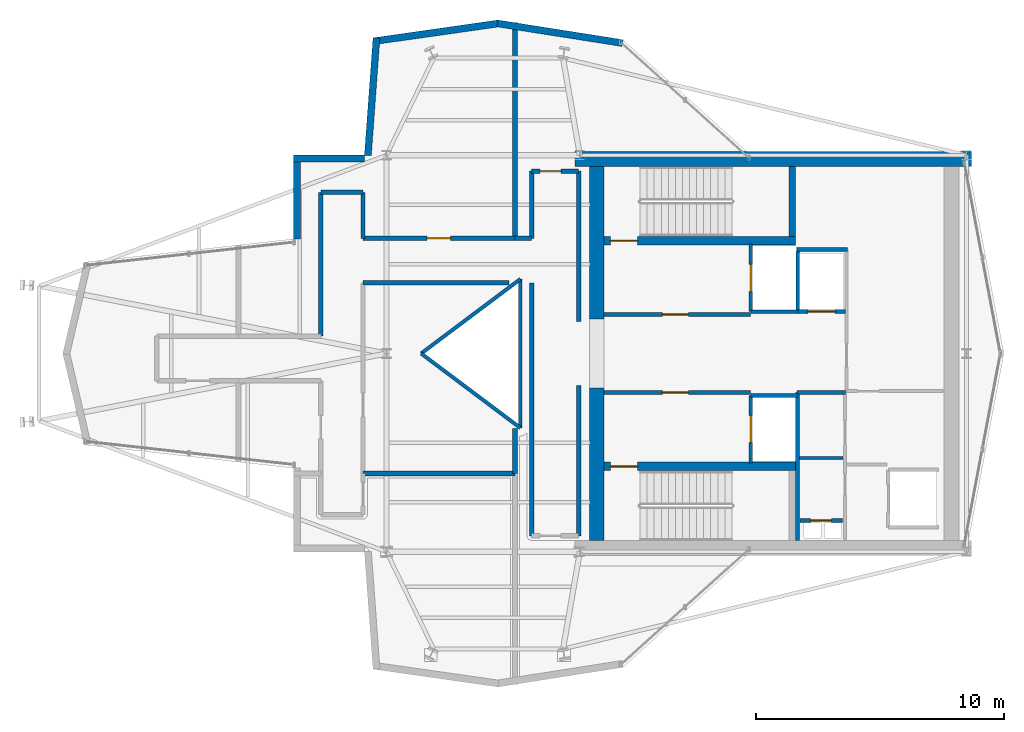
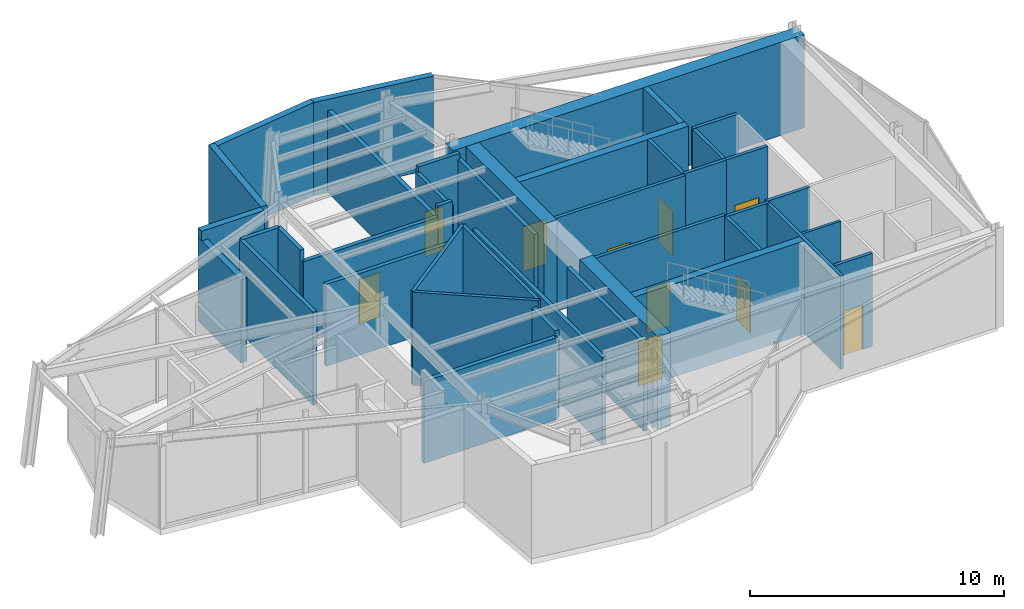
# One storey, part 8 of 11: 41 walls, 10 doors, 10 openings.
"""IFC4 building model written with IfcOpenShell, lengths in metres."""

from ifc_helpers import new_model, si_unit, direction, frame, frame_2d, origin, place, context, subcontext, project, spatial, rectangle, extrude, material, layer, layer_set, type_object, element, fill, save


model = new_model("IFC4")

# Units and contexts
model_context = context("Model", 3, precision=1e-05, world=origin(), true_north=direction((0.0, 1.0)))
body_context = subcontext(model_context, "Body", "Model", "MODEL_VIEW")
ifc_project = project(units=[si_unit("LENGTHUNIT", "METRE"), si_unit("AREAUNIT", "SQUARE_METRE"), si_unit("VOLUMEUNIT", "CUBIC_METRE"), si_unit("PLANEANGLEUNIT", "RADIAN"), si_unit("MASSUNIT", "GRAM", prefix="KILO")], contexts=[model_context])

# Site, building, storey
site_placement = place(None, origin())
site = spatial("IfcSite", under=ifc_project, at=site_placement, CompositionType="ELEMENT")
building_placement = place(site_placement, origin())
building = spatial("IfcBuilding", under=site, at=building_placement, Name="Veymaron Broadcast Tower", CompositionType="ELEMENT")
storey_placement = place(building_placement, frame((0.0, 0.0, 327.60009765625)))
storey = spatial("IfcBuildingStorey", under=building, at=storey_placement, Name="L77", CompositionType="ELEMENT", Elevation=327.60009765625)

# Walls
ifc_material_1 = material(Name="Concrete C40/50", Category="concrete")
ifc_layer_1 = layer(ifc_material_1, 0.199951171875)
ifc_layer_set_1 = layer_set([ifc_layer_1], Name="Concrete C40/50")
wall_type_1 = type_object("IfcWallType", Name="WALL-BLK-200", PredefinedType="SOLIDWALL", material=ifc_layer_set_1)
wall_1_placement = place(storey_placement, frame((36.3759765625, 19.156005859375, 0.0), z_axis=(0.0, 0.0, 1.0), x_axis=(0.0, 1.0, 0.0)))
element("IfcWall", 1, at=wall_1_placement, inside=storey, type_object=wall_type_1, Name="L77 partition IW-L77-P24", PredefinedType="SOLIDWALL", context=body_context, shape_type="SweptSolid", body=[
    extrude(rectangle(XDim=1.824462890625, YDim=0.199951171875, at=frame_2d((0.912109375, 0.0))), origin(), (0.0, 0.0, 1.0), 4.2099609375),
])
wall_2_placement = place(storey_placement, frame((30.25, 19.156005859375, 0.0), z_axis=(0.0, 0.0, 1.0), x_axis=(1.0, 0.0, 0.0)))
element("IfcWall", 2, at=wall_2_placement, inside=storey, type_object=wall_type_1, Name="L77 partition IW-L77-P26", PredefinedType="SOLIDWALL", context=body_context, shape_type="SweptSolid", body=[
    extrude(rectangle(XDim=6.1259765625, YDim=0.199951171875, at=frame_2d((3.06298828125, 0.0))), origin(), (0.0, 0.0, 1.0), 3.93994140625),
])
wall_3_placement = place(storey_placement, frame((36.3759765625, 28.64990234375, 0.0), z_axis=(0.0, 0.0, 1.0), x_axis=(0.0, 1.0, 0.0)))
element("IfcWall", 3, at=wall_3_placement, inside=storey, type_object=wall_type_1, Name="L77 partition IW-L77-P29", PredefinedType="SOLIDWALL", context=body_context, shape_type="SweptSolid", body=[
    extrude(rectangle(XDim=8.69921875, YDim=0.199951171875, at=frame_2d((4.349609375, 0.0))), origin(), (0.0, 0.0, 1.0), 3.93994140625),
])
ifc_material_2 = material(Name="Precast concrete C40/50", Category="concrete")
ifc_layer_2 = layer(ifc_material_2, 0.280029296875)
ifc_layer_set_2 = layer_set([ifc_layer_2], Name="Precast concrete C40/50")
wall_type_2 = type_object("IfcWallType", Name="WALL-EXT-280", PredefinedType="STANDARD", material=ifc_layer_set_2)
wall_4_placement = place(storey_placement, frame((40.717529296875, 36.525634765625, 0.0), z_axis=(0.0, 0.0, 1.0), x_axis=(-0.987892522015, 0.155139823857, 0.0)))
element("IfcWall", 4, at=wall_4_placement, inside=storey, type_object=wall_type_2, Name="L77 notched corner facade pier 6-1", PredefinedType="STANDARD", context=body_context, shape_type="SweptSolid", body=[
    extrude(rectangle(XDim=5.10498046875, YDim=0.280029296875, at=frame_2d((2.552490234375, 0.0))), origin(), (0.0, 0.0, 1.0), 4.47998046875),
])
wall_5_placement = place(storey_placement, frame((35.7158203125, 37.3173828125, 0.0), z_axis=(0.0, 0.0, 1.0), x_axis=(-0.989962907882, -0.141327424861, 0.0)))
element("IfcWall", 5, at=wall_5_placement, inside=storey, type_object=wall_type_2, Name="L77 notched corner facade pier 7-1", PredefinedType="STANDARD", context=body_context, shape_type="SweptSolid", body=[
    extrude(rectangle(XDim=5.09423828125, YDim=0.280029296875, at=frame_2d((2.547119140625, 0.0))), origin(), (0.0, 0.0, 1.0), 4.47998046875),
])
wall_6_placement = place(storey_placement, frame((30.79248046875, 36.725830078125, 0.0), z_axis=(0.0, 0.0, 1.0), x_axis=(-0.072953187508, -0.997335366079, 0.0)))
element("IfcWall", 6, at=wall_6_placement, inside=storey, type_object=wall_type_2, Name="L77 notched corner facade pier 8-1", PredefinedType="STANDARD", context=body_context, shape_type="SweptSolid", body=[
    extrude(rectangle(XDim=4.748779296875, YDim=0.280029296875, at=frame_2d((2.37451171875, 0.0))), origin(), (0.0, 0.0, 1.0), 4.47998046875),
])
wall_7_placement = place(storey_placement, frame((30.306396484375, 31.860107421875, 0.0), z_axis=(0.0, 0.0, 1.0), x_axis=(-1.0, 0.0, 0.0)))
element("IfcWall", 7, at=wall_7_placement, inside=storey, type_object=wall_type_2, Name="L77 notched corner facade pier 9-1", PredefinedType="STANDARD", context=body_context, shape_type="SweptSolid", body=[
    extrude(rectangle(XDim=2.8583984375, YDim=0.280029296875, at=frame_2d((1.42919921875, 0.0))), origin(), (0.0, 0.0, 1.0), 4.47998046875),
])
wall_8_placement = place(storey_placement, frame((27.587890625, 32.0, 0.0), z_axis=(0.0, 0.0, 1.0), x_axis=(0.0, -1.0, 0.0)))
element("IfcWall", 8, at=wall_8_placement, inside=storey, type_object=wall_type_2, Name="L77 notched corner facade pier 10-1", PredefinedType="STANDARD", context=body_context, shape_type="SweptSolid", body=[
    extrude(rectangle(XDim=3.37353515625, YDim=0.280029296875, at=frame_2d((1.686767578125, 0.0))), origin(), (0.0, 0.0, 1.0), 4.0087890625),
])

# Wall, opening, door
ifc_material_3 = material(Name="Gypsum fireboard and steel stud framing", Category="steel")
ifc_layer_3 = layer(ifc_material_3, 0.14990234375)
ifc_layer_set_3 = layer_set([ifc_layer_3], Name="Gypsum fireboard and steel stud framing")
wall_type_3 = type_object("IfcWallType", Name="WALL-FIRE-150", PredefinedType="PARTITIONING", material=ifc_layer_set_3)
wall_9_placement = place(storey_placement, frame((39.97998046875, 25.574951171875, 0.0), z_axis=(0.0, 0.0, 1.0), x_axis=(1.0, 0.0, 0.0)))
wall_9 = element("IfcWall", 9, at=wall_9_placement, inside=storey, type_object=wall_type_3, Name="L77 partition IW-L77-FFLN-S", PredefinedType="PARTITIONING", context=body_context, shape_type="SweptSolid", body=[
    extrude(rectangle(XDim=5.89990234375, YDim=0.14990234375, at=frame_2d((2.949951171875, 0.0))), origin(), (0.0, 0.0, 1.0), 4.47998046875),
])
opening_1_placement = place(wall_9_placement, frame((2.35009765625, 0.0, 0.0)))
opening_1 = element("IfcOpeningElement", 10, at=opening_1_placement, cuts=wall_9, Name="Opening ID-FL1", PredefinedType="OPENING", context=body_context, shape_type="SweptSolid", body=[
    extrude(rectangle(XDim=1.050048828125, YDim=2.14990234375, at=frame_2d((0.52490234375, 1.074951171875))), frame((0.0, 0.0849609375, 0.0), z_axis=(0.0, -1.0, 0.0), x_axis=(1.0, 0.0, 0.0)), (0.0, 0.0, 1.0), 0.169921875),
])
ifc_material_4 = material(Name="Fire-rated painted hollow steel ASTM A653", Category="steel")
door_type_1 = type_object("IfcDoorType", Name="DOOR-FIRE-1050", OperationType="NOTDEFINED", PredefinedType="DOOR", material=ifc_material_4)
door_1_placement = place(opening_1_placement, origin())
door_1 = element("IfcDoor", 11, at=door_1_placement, inside=storey, type_object=door_type_1, Name="L77 door DR-L77-FFLN", OperationType="SINGLE_SWING_LEFT", OverallHeight=2.14990234375, OverallWidth=1.050048828125, PredefinedType="DOOR", context=body_context, shape_type="SweptSolid", body=[
    extrude(rectangle(XDim=1.050048828125, YDim=2.14990234375, at=frame_2d((0.52490234375, 1.074951171875))), frame((0.0, 0.02490234375, 0.0), z_axis=(0.0, -1.0, 0.0), x_axis=(1.0, 0.0, 0.0)), (0.0, 0.0, 1.0), 0.050048828125),
])
fill(opening_1, door_1)

wall_10_placement = place(storey_placement, frame((39.97998046875, 22.425048828125, 0.0), z_axis=(0.0, 0.0, 1.0), x_axis=(1.0, 0.0, 0.0)))
wall_10 = element("IfcWall", 12, at=wall_10_placement, inside=storey, type_object=wall_type_3, Name="L77 partition IW-L77-FFLS-N", PredefinedType="PARTITIONING", context=body_context, shape_type="SweptSolid", body=[
    extrude(rectangle(XDim=5.89990234375, YDim=0.14990234375, at=frame_2d((2.949951171875, 0.0))), origin(), (0.0, 0.0, 1.0), 4.47998046875),
])
opening_2_placement = place(wall_10_placement, frame((2.35009765625, 0.0, 0.0)))
opening_2 = element("IfcOpeningElement", 13, at=opening_2_placement, cuts=wall_10, Name="Opening ID-FL1", PredefinedType="OPENING", context=body_context, shape_type="SweptSolid", body=[
    extrude(rectangle(XDim=1.050048828125, YDim=2.14990234375, at=frame_2d((0.52490234375, 1.074951171875))), frame((0.0, 0.0849609375, 0.0), z_axis=(0.0, -1.0, 0.0), x_axis=(1.0, 0.0, 0.0)), (0.0, 0.0, 1.0), 0.169921875),
])
door_2_placement = place(opening_2_placement, frame((1.050048828125, 0.0, 0.0), z_axis=(0.0, 0.0, 1.0), x_axis=(-1.0, 0.0, 0.0)))
door_2 = element("IfcDoor", 14, at=door_2_placement, inside=storey, type_object=door_type_1, Name="L77 door DR-L77-FFLS", OperationType="SINGLE_SWING_RIGHT", OverallHeight=2.14990234375, OverallWidth=1.050048828125, PredefinedType="DOOR", context=body_context, shape_type="SweptSolid", body=[
    extrude(rectangle(XDim=1.050048828125, YDim=2.14990234375, at=frame_2d((0.52490234375, 1.074951171875))), frame((0.0, 0.02490234375, 0.0), z_axis=(0.0, -1.0, 0.0), x_axis=(1.0, 0.0, 0.0)), (0.0, 0.0, 1.0), 0.050048828125),
])
fill(opening_2, door_2)

wall_11_placement = place(storey_placement, frame((45.89501953125, 25.68994140625, 0.0), z_axis=(0.0, 0.0, 1.0), x_axis=(0.0, 1.0, 0.0)))
wall_11 = element("IfcWall", 15, at=wall_11_placement, inside=storey, type_object=wall_type_3, Name="L77 partition IW-L77-SHW-FFL-1", PredefinedType="PARTITIONING", context=body_context, shape_type="SweptSolid", body=[
    extrude(rectangle(XDim=2.719970703125, YDim=0.14990234375, at=frame_2d((1.35986328125, 0.0))), origin(), (0.0, 0.0, 1.0), 4.47998046875),
])
opening_3_placement = place(wall_11_placement, frame((0.81005859375, 0.0, 0.0)))
opening_3 = element("IfcOpeningElement", 16, at=opening_3_placement, cuts=wall_11, Name="Opening LD", PredefinedType="OPENING", context=body_context, shape_type="SweptSolid", body=[
    extrude(rectangle(XDim=1.10009765625, YDim=2.14990234375, at=frame_2d((0.550048828125, 1.074951171875))), frame((0.0, 0.0849609375, 0.0), z_axis=(0.0, -1.0, 0.0), x_axis=(1.0, 0.0, 0.0)), (0.0, 0.0, 1.0), 0.169921875),
])
ifc_material_5 = material(Name="Brushed stainless steel AISI 304", Category="steel")
door_type_2 = type_object("IfcDoorType", Name="DOOR-LIFT-1100", OperationType="DOUBLE_DOOR_SLIDING", PredefinedType="DOOR", material=ifc_material_5)
door_3_placement = place(opening_3_placement, frame((1.10009765625, 0.0, 0.0), z_axis=(0.0, 0.0, 1.0), x_axis=(-1.0, 0.0, 0.0)))
door_3 = element("IfcDoor", 17, at=door_3_placement, inside=storey, type_object=door_type_2, Name="L77 door LD-L77-FFL-1", OperationType="DOUBLE_DOOR_SLIDING", OverallHeight=2.14990234375, OverallWidth=1.10009765625, PredefinedType="DOOR", context=body_context, shape_type="SweptSolid", body=[
    extrude(rectangle(XDim=1.10009765625, YDim=2.14990234375, at=frame_2d((0.550048828125, 1.074951171875))), frame((0.0, 0.02490234375, 0.0), z_axis=(0.0, -1.0, 0.0), x_axis=(1.0, 0.0, 0.0)), (0.0, 0.0, 1.0), 0.050048828125),
])
fill(opening_3, door_3)

# Wall
wall_12_placement = place(storey_placement, frame((45.89501953125, 25.68994140625, 0.0), z_axis=(0.0, 0.0, 1.0), x_axis=(1.0, 0.0, 0.0)))
element("IfcWall", 18, at=wall_12_placement, inside=storey, type_object=wall_type_3, Name="L77 partition IW-L77-SHS-FFL-1", PredefinedType="PARTITIONING", context=body_context, shape_type="SweptSolid", body=[
    extrude(rectangle(XDim=1.9150390625, YDim=0.14990234375, at=frame_2d((0.95751953125, 0.0))), origin(), (0.0, 0.0, 1.0), 4.47998046875),
])

# Wall, opening, door
wall_13_placement = place(storey_placement, frame((45.89501953125, 19.590087890625, 0.0), z_axis=(0.0, 0.0, 1.0), x_axis=(0.0, 1.0, 0.0)))
wall_13 = element("IfcWall", 19, at=wall_13_placement, inside=storey, type_object=wall_type_3, Name="L77 partition IW-L77-SHW-FFL-2", PredefinedType="PARTITIONING", context=body_context, shape_type="SweptSolid", body=[
    extrude(rectangle(XDim=2.719970703125, YDim=0.14990234375, at=frame_2d((1.35986328125, 0.0))), origin(), (0.0, 0.0, 1.0), 4.47998046875),
])
opening_4_placement = place(wall_13_placement, frame((0.81005859375, 0.0, 0.0)))
opening_4 = element("IfcOpeningElement", 20, at=opening_4_placement, cuts=wall_13, Name="Opening LD", PredefinedType="OPENING", context=body_context, shape_type="SweptSolid", body=[
    extrude(rectangle(XDim=1.10009765625, YDim=2.14990234375, at=frame_2d((0.550048828125, 1.074951171875))), frame((0.0, 0.0849609375, 0.0), z_axis=(0.0, -1.0, 0.0), x_axis=(1.0, 0.0, 0.0)), (0.0, 0.0, 1.0), 0.169921875),
])
door_4_placement = place(opening_4_placement, frame((1.10009765625, 0.0, 0.0), z_axis=(0.0, 0.0, 1.0), x_axis=(-1.0, 0.0, 0.0)))
door_4 = element("IfcDoor", 21, at=door_4_placement, inside=storey, type_object=door_type_2, Name="L77 door LD-L77-FFL-2", OperationType="DOUBLE_DOOR_SLIDING", OverallHeight=2.14990234375, OverallWidth=1.10009765625, PredefinedType="DOOR", context=body_context, shape_type="SweptSolid", body=[
    extrude(rectangle(XDim=1.10009765625, YDim=2.14990234375, at=frame_2d((0.550048828125, 1.074951171875))), frame((0.0, 0.02490234375, 0.0), z_axis=(0.0, -1.0, 0.0), x_axis=(1.0, 0.0, 0.0)), (0.0, 0.0, 1.0), 0.050048828125),
])
fill(opening_4, door_4)

# Wall
wall_14_placement = place(storey_placement, frame((45.89501953125, 22.31005859375, 0.0), z_axis=(0.0, 0.0, 1.0), x_axis=(1.0, 0.0, 0.0)))
element("IfcWall", 22, at=wall_14_placement, inside=storey, type_object=wall_type_3, Name="L77 partition IW-L77-SHN-FFL-2", PredefinedType="PARTITIONING", context=body_context, shape_type="SweptSolid", body=[
    extrude(rectangle(XDim=1.9150390625, YDim=0.14990234375, at=frame_2d((0.95751953125, 0.0))), origin(), (0.0, 0.0, 1.0), 4.47998046875),
])

# Wall, opening, door
wall_15_placement = place(storey_placement, frame((47.7900390625, 25.695068359375, 0.0), z_axis=(0.0, 0.0, 1.0), x_axis=(1.0, 0.0, 0.0)))
wall_15 = element("IfcWall", 23, at=wall_15_placement, inside=storey, type_object=wall_type_3, Name="L77 partition IW-L77-SHS-SL-1", PredefinedType="PARTITIONING", context=body_context, shape_type="SweptSolid", body=[
    extrude(rectangle(XDim=1.919921875, YDim=0.14990234375, at=frame_2d((0.9599609375, 0.0))), origin(), (0.0, 0.0, 1.0), 4.47998046875),
])
opening_5_placement = place(wall_15_placement, frame((0.409912109375, 0.0, 0.0)))
opening_5 = element("IfcOpeningElement", 24, at=opening_5_placement, cuts=wall_15, Name="Opening LD", PredefinedType="OPENING", context=body_context, shape_type="SweptSolid", body=[
    extrude(rectangle(XDim=1.10009765625, YDim=2.14990234375, at=frame_2d((0.550048828125, 1.074951171875))), frame((0.0, 0.0849609375, 0.0), z_axis=(0.0, -1.0, 0.0), x_axis=(1.0, 0.0, 0.0)), (0.0, 0.0, 1.0), 0.169921875),
])
door_5_placement = place(opening_5_placement, frame((1.10009765625, 0.0, 0.0), z_axis=(0.0, 0.0, 1.0), x_axis=(-1.0, 0.0, 0.0)))
door_5 = element("IfcDoor", 25, at=door_5_placement, inside=storey, type_object=door_type_2, Name="L77 door LD-L77-SL-1", OperationType="DOUBLE_DOOR_SLIDING", OverallHeight=2.14990234375, OverallWidth=1.10009765625, PredefinedType="DOOR", context=body_context, shape_type="SweptSolid", body=[
    extrude(rectangle(XDim=1.10009765625, YDim=2.14990234375, at=frame_2d((0.550048828125, 1.074951171875))), frame((0.0, 0.02490234375, 0.0), z_axis=(0.0, -1.0, 0.0), x_axis=(1.0, 0.0, 0.0)), (0.0, 0.0, 1.0), 0.050048828125),
])
fill(opening_5, door_5)

# Wall
wall_16_placement = place(storey_placement, frame((47.7900390625, 25.695068359375, 0.0), z_axis=(0.0, 0.0, 1.0), x_axis=(0.0, 1.0, 0.0)))
element("IfcWall", 26, at=wall_16_placement, inside=storey, type_object=wall_type_3, Name="L77 partition IW-L77-SHW-SL-1", PredefinedType="PARTITIONING", context=body_context, shape_type="SweptSolid", body=[
    extrude(rectangle(XDim=2.4150390625, YDim=0.14990234375, at=frame_2d((1.20751953125, 0.0))), origin(), (0.0, 0.0, 1.0), 4.47998046875),
])

# Wall, opening, door
wall_17_placement = place(storey_placement, frame((47.8798828125, 17.260009765625, 0.0), z_axis=(0.0, 0.0, 1.0), x_axis=(1.0, 0.0, 0.0)))
wall_17 = element("IfcWall", 27, at=wall_17_placement, inside=storey, type_object=wall_type_3, Name="L77 partition IW-L77-RIS-N", PredefinedType="PARTITIONING", context=body_context, shape_type="SweptSolid", body=[
    extrude(rectangle(XDim=1.72021484375, YDim=0.14990234375, at=frame_2d((0.860107421875, 0.0))), origin(), (0.0, 0.0, 1.0), 4.47998046875),
])
opening_6_placement = place(wall_17_placement, frame((0.419921875, 0.0, 0.0)))
opening_6 = element("IfcOpeningElement", 28, at=opening_6_placement, cuts=wall_17, Name="Opening ID-RS1", PredefinedType="OPENING", context=body_context, shape_type="SweptSolid", body=[
    extrude(rectangle(XDim=0.85009765625, YDim=2.14990234375, at=frame_2d((0.425048828125, 1.074951171875))), frame((0.0, 0.0849609375, 0.0), z_axis=(0.0, -1.0, 0.0), x_axis=(1.0, 0.0, 0.0)), (0.0, 0.0, 1.0), 0.169921875),
])
ifc_material_6 = material(Name="Fire-rated powder-coated steel riser leaf", Category="steel")
door_type_3 = type_object("IfcDoorType", Name="DOOR-RIS-850", OperationType="NOTDEFINED", PredefinedType="TRAPDOOR", material=ifc_material_6)
door_6_placement = place(opening_6_placement, origin())
door_6 = element("IfcDoor", 29, at=door_6_placement, inside=storey, type_object=door_type_3, Name="L77 door DR-L77-RIS", OperationType="SINGLE_SWING_LEFT", OverallHeight=2.14990234375, OverallWidth=0.85009765625, PredefinedType="TRAPDOOR", context=body_context, shape_type="SweptSolid", body=[
    extrude(rectangle(XDim=0.85009765625, YDim=2.14990234375, at=frame_2d((0.425048828125, 1.074951171875))), frame((0.0, 0.02490234375, 0.0), z_axis=(0.0, -1.0, 0.0), x_axis=(1.0, 0.0, 0.0)), (0.0, 0.0, 1.0), 0.050048828125),
])
fill(opening_6, door_6)

# Walls
wall_18_placement = place(storey_placement, frame((47.760009765625, 22.425048828125, 0.0), z_axis=(0.0, 0.0, 1.0), x_axis=(1.0, 0.0, 0.0)))
element("IfcWall", 30, at=wall_18_placement, inside=storey, type_object=wall_type_3, Name="L77 partition IW-L77-SM-N", PredefinedType="PARTITIONING", context=body_context, shape_type="SweptSolid", body=[
    extrude(rectangle(XDim=1.9599609375, YDim=0.14990234375, at=frame_2d((0.97998046875, 0.0))), origin(), (0.0, 0.0, 1.0), 4.47998046875),
])
wall_19_placement = place(storey_placement, frame((47.780029296875, 16.449951171875, 0.0), z_axis=(0.0, 0.0, 1.0), x_axis=(0.0, 1.0, 0.0)))
element("IfcWall", 31, at=wall_19_placement, inside=storey, type_object=wall_type_3, Name="L77 partition IW-L77-SM-W", PredefinedType="PARTITIONING", context=body_context, shape_type="SweptSolid", body=[
    extrude(rectangle(XDim=5.97509765625, YDim=0.14990234375, at=frame_2d((2.987548828125, 0.0))), origin(), (0.0, 0.0, 1.0), 4.47998046875),
])
wall_20_placement = place(storey_placement, frame((47.760009765625, 28.199951171875, 0.0), z_axis=(0.0, 0.0, 1.0), x_axis=(1.0, 0.0, 0.0)))
element("IfcWall", 32, at=wall_20_placement, inside=storey, type_object=wall_type_3, Name="L77 partition IW-L77-F3-SW", PredefinedType="PARTITIONING", context=body_context, shape_type="SweptSolid", body=[
    extrude(rectangle(XDim=2.0400390625, YDim=0.14990234375, at=frame_2d((1.02001953125, 0.0))), origin(), (0.0, 0.0, 1.0), 4.47998046875),
])

# Wall, opening, door
ifc_layer_4 = layer(ifc_material_1, 0.179931640625)
ifc_layer_set_4 = layer_set([ifc_layer_4], Name="Concrete C40/50")
wall_type_4 = type_object("IfcWallType", Name="WALL-FIRE-180", PredefinedType="SOLIDWALL", material=ifc_layer_set_4)
wall_21_placement = place(storey_placement, frame((30.25, 28.64990234375, 0.0), z_axis=(0.0, 0.0, 1.0), x_axis=(1.0, 0.0, 0.0)))
wall_21 = element("IfcWall", 33, at=wall_21_placement, inside=storey, type_object=wall_type_4, Name="L77 partition IW-L77-P14", PredefinedType="SOLIDWALL", context=body_context, shape_type="SweptSolid", body=[
    extrude(rectangle(XDim=6.1259765625, YDim=0.179931640625, at=frame_2d((3.06298828125, 0.0))), origin(), (0.0, 0.0, 1.0), 3.93994140625),
])
opening_7_placement = place(wall_21_placement, frame((2.587890625, 0.0, 0.0)))
opening_7 = element("IfcOpeningElement", 34, at=opening_7_placement, cuts=wall_21, Name="Opening ID-RM1", PredefinedType="OPENING", context=body_context, shape_type="SweptSolid", body=[
    extrude(rectangle(XDim=0.949951171875, YDim=2.14990234375, at=frame_2d((0.47509765625, 1.074951171875))), frame((0.0, 0.10009765625, 0.0), z_axis=(0.0, -1.0, 0.0), x_axis=(1.0, 0.0, 0.0)), (0.0, 0.0, 1.0), 0.199951171875),
])
ifc_material_7 = material(Name="Acoustic solid-core European oak veneer timber", Category="wood")
door_type_4 = type_object("IfcDoorType", Name="DOOR-INT-950", OperationType="NOTDEFINED", PredefinedType="DOOR", material=ifc_material_7)
door_7_placement = place(opening_7_placement, origin())
door_7 = element("IfcDoor", 35, at=door_7_placement, inside=storey, type_object=door_type_4, Name="L77 door DR-L77-P14", OperationType="SINGLE_SWING_LEFT", OverallHeight=2.14990234375, OverallWidth=0.949951171875, PredefinedType="DOOR", context=body_context, shape_type="SweptSolid", body=[
    extrude(rectangle(XDim=0.949951171875, YDim=2.14990234375, at=frame_2d((0.47509765625, 1.074951171875))), frame((0.0, 0.02490234375, 0.0), z_axis=(0.0, -1.0, 0.0), x_axis=(1.0, 0.0, 0.0)), (0.0, 0.0, 1.0), 0.050048828125),
])
fill(opening_7, door_7)

wall_22_placement = place(storey_placement, frame((37.050048828125, 31.35595703125, 0.0), z_axis=(0.0, 0.0, 1.0), x_axis=(1.0, 0.0, 0.0)))
wall_22 = element("IfcWall", 36, at=wall_22_placement, inside=storey, type_object=wall_type_4, Name="L77 partition IW-L77-P21", PredefinedType="SOLIDWALL", context=body_context, shape_type="SweptSolid", body=[
    extrude(rectangle(XDim=1.89990234375, YDim=0.179931640625, at=frame_2d((0.949951171875, 0.0))), origin(), (0.0, 0.0, 1.0), 4.47998046875),
])
opening_8_placement = place(wall_22_placement, frame((0.344970703125, 0.0, 0.0)))
opening_8 = element("IfcOpeningElement", 37, at=opening_8_placement, cuts=wall_22, Name="Opening ID-WC1", PredefinedType="OPENING", context=body_context, shape_type="SweptSolid", body=[
    extrude(rectangle(XDim=0.85009765625, YDim=2.14990234375, at=frame_2d((0.425048828125, 1.074951171875))), frame((0.0, 0.10009765625, 0.0), z_axis=(0.0, -1.0, 0.0), x_axis=(1.0, 0.0, 0.0)), (0.0, 0.0, 1.0), 0.199951171875),
])
ifc_material_8 = material(Name="Moisture-resistant high-pressure laminate timber", Category="wood")
door_type_5 = type_object("IfcDoorType", Name="DOOR-INT-850", OperationType="NOTDEFINED", PredefinedType="DOOR", material=ifc_material_8)
door_8_placement = place(opening_8_placement, origin())
door_8 = element("IfcDoor", 38, at=door_8_placement, inside=storey, type_object=door_type_5, Name="L77 door DR-L77-P21", OperationType="SINGLE_SWING_RIGHT", OverallHeight=2.14990234375, OverallWidth=0.85009765625, PredefinedType="DOOR", context=body_context, shape_type="SweptSolid", body=[
    extrude(rectangle(XDim=0.85009765625, YDim=2.14990234375, at=frame_2d((0.425048828125, 1.074951171875))), frame((0.0, 0.02490234375, 0.0), z_axis=(0.0, -1.0, 0.0), x_axis=(1.0, 0.0, 0.0)), (0.0, 0.0, 1.0), 0.050048828125),
])
fill(opening_8, door_8)

# Walls
wall_23_placement = place(storey_placement, frame((37.050048828125, 16.64404296875, 0.0), z_axis=(0.0, 0.0, 1.0), x_axis=(0.0, 1.0, 0.0)))
element("IfcWall", 39, at=wall_23_placement, inside=storey, type_object=wall_type_4, Name="L77 partition IW-L77-P01", PredefinedType="SOLIDWALL", context=body_context, shape_type="SweptSolid", body=[
    extrude(rectangle(XDim=10.2060546875, YDim=0.179931640625, at=frame_2d((5.10302734375, 0.0))), origin(), (0.0, 0.0, 1.0), 4.2099609375),
])
wall_24_placement = place(storey_placement, frame((38.949951171875, 16.64404296875, 0.0), z_axis=(0.0, 0.0, 1.0), x_axis=(0.0, 1.0, 0.0)))
element("IfcWall", 40, at=wall_24_placement, inside=storey, type_object=wall_type_4, Name="L77 partition IW-L77-P02", PredefinedType="SOLIDWALL", context=body_context, shape_type="SweptSolid", body=[
    extrude(rectangle(XDim=6.055908203125, YDim=0.179931640625, at=frame_2d((3.02783203125, 0.0))), origin(), (0.0, 0.0, 1.0), 4.2099609375),
])
wall_25_placement = place(storey_placement, frame((30.25, 26.85009765625, 0.0), z_axis=(0.0, 0.0, 1.0), x_axis=(1.0, 0.0, 0.0)))
element("IfcWall", 41, at=wall_25_placement, inside=storey, type_object=wall_type_4, Name="L77 partition IW-L77-P10", PredefinedType="SOLIDWALL", context=body_context, shape_type="SweptSolid", body=[
    extrude(rectangle(XDim=5.89990234375, YDim=0.179931640625, at=frame_2d((2.949951171875, 0.0))), origin(), (0.0, 0.0, 1.0), 3.93994140625),
])
wall_26_placement = place(storey_placement, frame((28.550048828125, 24.699951171875, 0.0), z_axis=(0.0, 0.0, 1.0), x_axis=(0.0, 1.0, 0.0)))
element("IfcWall", 42, at=wall_26_placement, inside=storey, type_object=wall_type_4, Name="L77 partition IW-L77-P15", PredefinedType="SOLIDWALL", context=body_context, shape_type="SweptSolid", body=[
    extrude(rectangle(XDim=5.800048828125, YDim=0.179931640625, at=frame_2d((2.89990234375, 0.0))), origin(), (0.0, 0.0, 1.0), 4.47998046875),
])
wall_27_placement = place(storey_placement, frame((30.25, 28.64990234375, 0.0), z_axis=(0.0, 0.0, 1.0), x_axis=(0.0, 1.0, 0.0)))
element("IfcWall", 43, at=wall_27_placement, inside=storey, type_object=wall_type_4, Name="L77 partition IW-L77-P17", PredefinedType="SOLIDWALL", context=body_context, shape_type="SweptSolid", body=[
    extrude(rectangle(XDim=1.85009765625, YDim=0.179931640625, at=frame_2d((0.925048828125, 0.0))), origin(), (0.0, 0.0, 1.0), 4.47998046875),
])
wall_28_placement = place(storey_placement, frame((28.550048828125, 30.5, 0.0), z_axis=(0.0, 0.0, 1.0), x_axis=(1.0, 0.0, 0.0)))
element("IfcWall", 44, at=wall_28_placement, inside=storey, type_object=wall_type_4, Name="L77 partition IW-L77-P18", PredefinedType="SOLIDWALL", context=body_context, shape_type="SweptSolid", body=[
    extrude(rectangle(XDim=1.699951171875, YDim=0.179931640625, at=frame_2d((0.85009765625, 0.0))), origin(), (0.0, 0.0, 1.0), 4.47998046875),
])
wall_29_placement = place(storey_placement, frame((38.949951171875, 25.300048828125, 0.0), z_axis=(0.0, 0.0, 1.0), x_axis=(0.0, 1.0, 0.0)))
element("IfcWall", 45, at=wall_29_placement, inside=storey, type_object=wall_type_4, Name="L77 partition IW-L77-P19", PredefinedType="SOLIDWALL", context=body_context, shape_type="SweptSolid", body=[
    extrude(rectangle(XDim=6.055908203125, YDim=0.179931640625, at=frame_2d((3.02783203125, 0.0))), origin(), (0.0, 0.0, 1.0), 4.2099609375),
])
wall_30_placement = place(storey_placement, frame((37.050048828125, 28.64990234375, 0.0), z_axis=(0.0, 0.0, 1.0), x_axis=(0.0, 1.0, 0.0)))
element("IfcWall", 46, at=wall_30_placement, inside=storey, type_object=wall_type_4, Name="L77 partition IW-L77-P20", PredefinedType="SOLIDWALL", context=body_context, shape_type="SweptSolid", body=[
    extrude(rectangle(XDim=2.7060546875, YDim=0.179931640625, at=frame_2d((1.35302734375, 0.0))), origin(), (0.0, 0.0, 1.0), 4.2099609375),
])
wall_31_placement = place(storey_placement, frame((36.3759765625, 28.64990234375, 0.0), z_axis=(0.0, 0.0, 1.0), x_axis=(1.0, 0.0, 0.0)))
element("IfcWall", 47, at=wall_31_placement, inside=storey, type_object=wall_type_4, Name="L77 partition IW-L77-P22", PredefinedType="SOLIDWALL", context=body_context, shape_type="SweptSolid", body=[
    extrude(rectangle(XDim=0.674072265625, YDim=0.179931640625, at=frame_2d((0.3369140625, 0.0))), origin(), (0.0, 0.0, 1.0), 4.47998046875),
])
ifc_material_9 = material(Name="Fire-rated laminated glass in aluminium frame", Category="aluminium")
ifc_layer_5 = layer(ifc_material_9, 0.14990234375)
ifc_layer_set_5 = layer_set([ifc_layer_5], Name="Fire-rated laminated glass in aluminium frame")
wall_type_5 = type_object("IfcWallType", Name="WALL-GLZ-150", PredefinedType="MOVABLE", material=ifc_layer_set_5)
wall_32_placement = place(storey_placement, frame((32.60009765625, 24.0, 0.0), z_axis=(0.0, 0.0, 1.0), x_axis=(0.8, -0.6, 0.0)))
element("IfcWall", 48, at=wall_32_placement, inside=storey, type_object=wall_type_5, Name="L77 partition IW-L77-ATR1", PredefinedType="MOVABLE", context=body_context, shape_type="SweptSolid", body=[
    extrude(rectangle(XDim=5.0, YDim=0.14990234375, at=frame_2d((2.5, 0.0))), origin(), (0.0, 0.0, 1.0), 4.47998046875),
])
wall_33_placement = place(storey_placement, frame((36.60009765625, 21.0, 0.0), z_axis=(0.0, 0.0, 1.0), x_axis=(0.0, 1.0, 0.0)))
element("IfcWall", 49, at=wall_33_placement, inside=storey, type_object=wall_type_5, Name="L77 partition IW-L77-ATR2", PredefinedType="MOVABLE", context=body_context, shape_type="SweptSolid", body=[
    extrude(rectangle(XDim=6.0, YDim=0.14990234375, at=frame_2d((3.0, 0.0))), origin(), (0.0, 0.0, 1.0), 4.47998046875),
])
wall_34_placement = place(storey_placement, frame((36.60009765625, 27.0, 0.0), z_axis=(0.0, 0.0, 1.0), x_axis=(-0.8, -0.6, 0.0)))
element("IfcWall", 50, at=wall_34_placement, inside=storey, type_object=wall_type_5, Name="L77 partition IW-L77-ATR3", PredefinedType="MOVABLE", context=body_context, shape_type="SweptSolid", body=[
    extrude(rectangle(XDim=5.0, YDim=0.14990234375, at=frame_2d((2.5, 0.0))), origin(), (0.0, 0.0, 1.0), 4.47998046875),
])
ifc_material_10 = material(Name="Acoustic gypsum board and galvanized stud", Category="gypsum")
ifc_layer_6 = layer(ifc_material_10, 0.1201171875)
ifc_layer_set_6 = layer_set([ifc_layer_6], Name="Acoustic gypsum board and galvanized stud")
wall_type_6 = type_object("IfcWallType", Name="WALL-PART-120", PredefinedType="PARTITIONING", material=ifc_layer_set_6)
wall_35_placement = place(storey_placement, frame((47.860107421875, 19.780029296875, 0.0), z_axis=(0.0, 0.0, 1.0), x_axis=(1.0, 0.0, 0.0)))
element("IfcWall", 51, at=wall_35_placement, inside=storey, type_object=wall_type_6, Name="L77 partition IW-L77-SM-DIV", PredefinedType="PARTITIONING", context=body_context, shape_type="SweptSolid", body=[
    extrude(rectangle(XDim=1.760009765625, YDim=0.1201171875, at=frame_2d((0.8798828125, 0.0))), origin(), (0.0, 0.0, 1.0), 4.47998046875),
])
ifc_material_11 = material(Name="Concrete C50/60", Category="concrete")
ifc_layer_7 = layer(ifc_material_11, 0.25)
ifc_layer_set_7 = layer_set([ifc_layer_7], Name="Concrete C50/60")
wall_type_7 = type_object("IfcWallType", Name="WALL-SHEAR-250", PredefinedType="SHEAR", material=ifc_layer_set_7)
wall_36_placement = place(storey_placement, frame((47.56494140625, 28.72998046875, 0.0), z_axis=(0.0, 0.0, 1.0), x_axis=(0.0, 1.0, 0.0)))
element("IfcWall", 52, at=wall_36_placement, inside=storey, type_object=wall_type_7, Name="L77 Core Wall north stair east shear", PredefinedType="SHEAR", context=body_context, shape_type="SweptSolid", body=[
    extrude(rectangle(XDim=2.820068359375, YDim=0.25, at=frame_2d((1.41015625, 0.0))), origin(), (0.0, 0.0, 1.0), 4.47998046875),
])

# Wall, opening, door
ifc_layer_8 = layer(ifc_material_11, 0.35009765625)
ifc_layer_set_8 = layer_set([ifc_layer_8], Name="Concrete C50/60")
wall_type_8 = type_object("IfcWallType", Name="WALL-SHEAR-350", PredefinedType="SHEAR", material=ifc_layer_set_8)
wall_37_placement = place(storey_placement, frame((39.97998046875, 28.554931640625, 0.0), z_axis=(0.0, 0.0, 1.0), x_axis=(1.0, 0.0, 0.0)))
wall_37 = element("IfcWall", 53, at=wall_37_placement, inside=storey, type_object=wall_type_8, Name="L77 Core Wall north stair spine", PredefinedType="SHEAR", context=body_context, shape_type="SweptSolid", body=[
    extrude(rectangle(XDim=7.7099609375, YDim=0.35009765625, at=frame_2d((3.85498046875, 0.0))), origin(), (0.0, 0.0, 1.0), 4.47998046875),
])
opening_9_placement = place(wall_37_placement, frame((0.25, 0.0, 0.0)))
opening_9 = element("IfcOpeningElement", 54, at=opening_9_placement, cuts=wall_37, Name="Opening ID-ST1", PredefinedType="OPENING", context=body_context, shape_type="SweptSolid", body=[
    extrude(rectangle(XDim=1.10009765625, YDim=2.14990234375, at=frame_2d((0.550048828125, 1.074951171875))), frame((0.0, 0.18505859375, 0.0), z_axis=(0.0, -1.0, 0.0), x_axis=(1.0, 0.0, 0.0)), (0.0, 0.0, 1.0), 0.3701171875),
])
door_type_6 = type_object("IfcDoorType", Name="DOOR-STAIR-1100", OperationType="NOTDEFINED", PredefinedType="DOOR", material=ifc_material_4)
door_9_placement = place(opening_9_placement, origin())
door_9 = element("IfcDoor", 55, at=door_9_placement, inside=storey, type_object=door_type_6, Name="L77 exit stair ST1 fire door", OperationType="SINGLE_SWING_RIGHT", OverallHeight=2.14990234375, OverallWidth=1.10009765625, PredefinedType="DOOR", context=body_context, shape_type="SweptSolid", body=[
    extrude(rectangle(XDim=1.10009765625, YDim=2.14990234375, at=frame_2d((0.550048828125, 1.074951171875))), frame((0.0, 0.02490234375, 0.0), z_axis=(0.0, -1.0, 0.0), x_axis=(1.0, 0.0, 0.0)), (0.0, 0.0, 1.0), 0.050048828125),
])
fill(opening_9, door_9)

wall_38_placement = place(storey_placement, frame((39.97998046875, 19.445068359375, 0.0), z_axis=(0.0, 0.0, 1.0), x_axis=(1.0, 0.0, 0.0)))
wall_38 = element("IfcWall", 56, at=wall_38_placement, inside=storey, type_object=wall_type_8, Name="L77 Core Wall south stair spine", PredefinedType="SHEAR", context=body_context, shape_type="SweptSolid", body=[
    extrude(rectangle(XDim=7.7099609375, YDim=0.35009765625, at=frame_2d((3.85498046875, 0.0))), origin(), (0.0, 0.0, 1.0), 4.47998046875),
])
opening_10_placement = place(wall_38_placement, frame((0.25, 0.0, 0.0)))
opening_10 = element("IfcOpeningElement", 57, at=opening_10_placement, cuts=wall_38, Name="Opening ID-ST1", PredefinedType="OPENING", context=body_context, shape_type="SweptSolid", body=[
    extrude(rectangle(XDim=1.10009765625, YDim=2.14990234375, at=frame_2d((0.550048828125, 1.074951171875))), frame((0.0, 0.18505859375, 0.0), z_axis=(0.0, -1.0, 0.0), x_axis=(1.0, 0.0, 0.0)), (0.0, 0.0, 1.0), 0.3701171875),
])
door_10_placement = place(opening_10_placement, frame((1.10009765625, 0.0, 0.0), z_axis=(0.0, 0.0, 1.0), x_axis=(-1.0, 0.0, 0.0)))
door_10 = element("IfcDoor", 58, at=door_10_placement, inside=storey, type_object=door_type_6, Name="L77 exit stair ST2 fire door", OperationType="SINGLE_SWING_LEFT", OverallHeight=2.14990234375, OverallWidth=1.10009765625, PredefinedType="DOOR", context=body_context, shape_type="SweptSolid", body=[
    extrude(rectangle(XDim=1.10009765625, YDim=2.14990234375, at=frame_2d((0.550048828125, 1.074951171875))), frame((0.0, 0.02490234375, 0.0), z_axis=(0.0, -1.0, 0.0), x_axis=(1.0, 0.0, 0.0)), (0.0, 0.0, 1.0), 0.050048828125),
])
fill(opening_10, door_10)

# Walls
ifc_layer_9 = layer(ifc_material_11, 0.60009765625)
ifc_layer_set_9 = layer_set([ifc_layer_9], Name="Concrete C50/60")
wall_type_9 = type_object("IfcWallType", Name="WALL-SHEAR-600", PredefinedType="SHEAR", material=ifc_layer_set_9)
wall_39_placement = place(storey_placement, frame((38.800048828125, 31.85009765625, 0.0), z_axis=(0.0, 0.0, 1.0), x_axis=(1.0, 0.0, 0.0)))
element("IfcWall", 59, at=wall_39_placement, inside=storey, type_object=wall_type_9, Name="L77 Core Wall north shear", PredefinedType="SHEAR", context=body_context, shape_type="SweptSolid", body=[
    extrude(rectangle(XDim=16.0, YDim=0.60009765625, at=frame_2d((8.0, 0.0))), origin(), (0.0, 0.0, 1.0), 4.47998046875),
])
for number, where, z_axis, x_axis, name in (
    (60, (39.679931640625, 16.449951171875, 0.0), (0.0, 0.0, 1.0), (0.0, 1.0, 0.0), "L77 Core Wall west-south shear"),
    (61, (39.679931640625, 25.39990234375, 0.0), (0.0, 0.0, 1.0), (0.0, 1.0, 0.0), "L77 Core Wall west-north shear"),
):
    element("IfcWall", number, at=place(storey_placement, frame(where, z_axis=z_axis, x_axis=x_axis)), inside=storey, type_object=wall_type_9, Name=name, PredefinedType="SHEAR", context=body_context, shape_type="SweptSolid", body=[
        extrude(rectangle(XDim=6.150146484375, YDim=0.60009765625, at=frame_2d((3.0751953125, 0.0))), origin(), (0.0, 0.0, 1.0), 4.47998046875),
    ])

save(model, "model.ifc")
